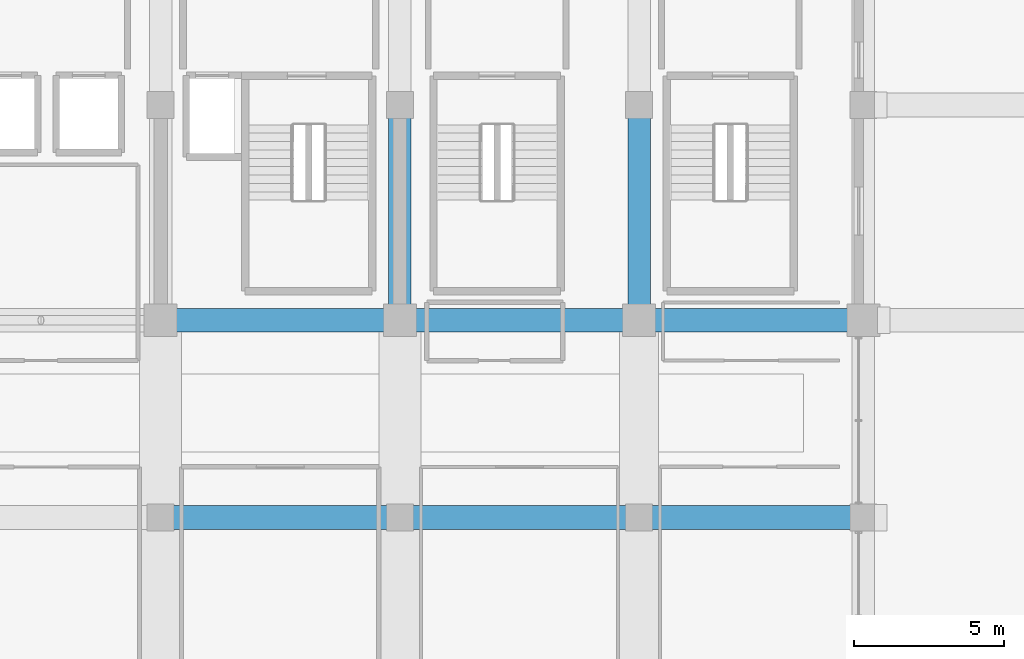
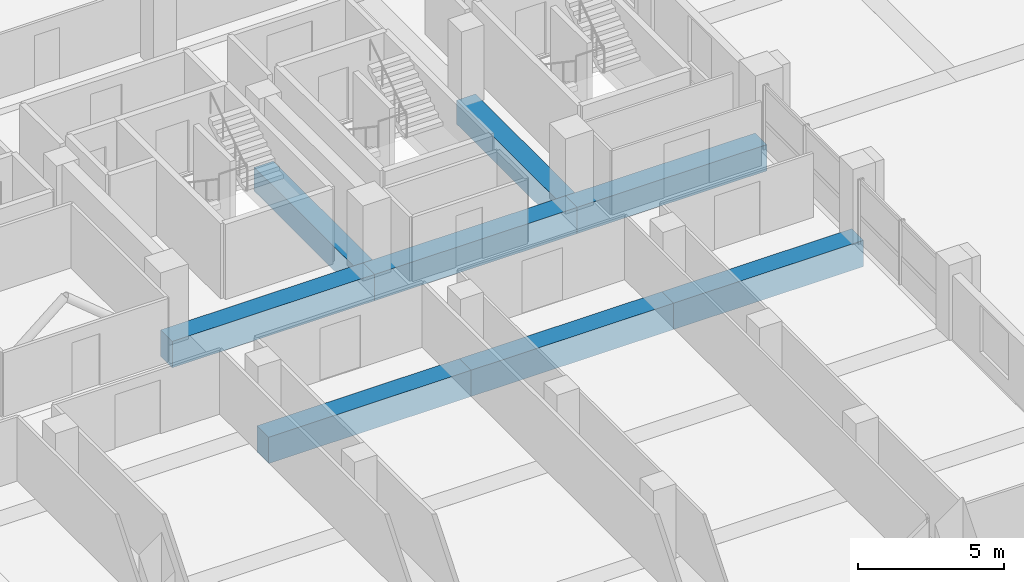
# One storey, part 17 of 49: 8 beams.
"""IFC4 building model written with IfcOpenShell, lengths in metres."""

from ifc_helpers import new_model, si_unit, direction, frame, origin, origin_2d, place, context, subcontext, project, spatial, rectangle, extrude, material, material_profile, profile_set, type_object, element, save


model = new_model("IFC4")

# Units and contexts
model_context = context("Model", 3, precision=1e-05, world=origin(), true_north=direction((0.0, 1.0)))
body_context = subcontext(model_context, "Body", "Model", "MODEL_VIEW")
ifc_project = project(units=[si_unit("LENGTHUNIT", "METRE"), si_unit("AREAUNIT", "SQUARE_METRE"), si_unit("VOLUMEUNIT", "CUBIC_METRE"), si_unit("PLANEANGLEUNIT", "RADIAN"), si_unit("MASSUNIT", "GRAM", prefix="KILO")], contexts=[model_context])

# Site, building, storey
site_placement = place(None, origin())
site = spatial("IfcSite", under=ifc_project, at=site_placement, CompositionType="ELEMENT")
building_placement = place(site_placement, origin())
building = spatial("IfcBuilding", under=site, at=building_placement, Name="Akrevak Sports Hall", CompositionType="ELEMENT")
storey_placement = place(building_placement, frame((0.0, 0.0, 24.14990234375)))
storey = spatial("IfcBuildingStorey", under=building, at=storey_placement, Name="L04", CompositionType="ELEMENT", Elevation=24.14990234375)

# Beams
ifc_material = material(Name="Concrete C50/60", Category="concrete")
ifc_material_profile_1 = material_profile(ifc_material, rectangle(XDim=0.75, YDim=1.0, at=origin_2d()), Name="BM 750x1000", Category="concrete")
ifc_profile_set_1 = profile_set([ifc_material_profile_1], Name="Concrete C50/60")
beam_type_1 = type_object("IfcBeamType", Name="STR-BM-RC750x1000", PredefinedType="BEAM", material=ifc_profile_set_1)
for number, where, z_axis, x_axis, name in (
    (1, (100.0, 55.199951171875, -0.5), (0.0, 1.0, 0.0), (-1.0, 0.0, 0.0), "Girder 14/I-J (L04)"),
    (2, (108.0, 55.199951171875, -0.5), (0.0, 1.0, 0.0), (-1.0, 0.0, 0.0), "Girder 15/I-J (L04)"),
):
    element("IfcBeam", number, at=place(storey_placement, frame(where, z_axis=z_axis, x_axis=x_axis)), inside=storey, type_object=beam_type_1, Name=name, PredefinedType="BEAM", context=body_context, shape_type="SweptSolid", body=[
        extrude(rectangle(XDim=0.75, YDim=1.0, at=origin_2d()), origin(), (0.0, 0.0, 1.0), 7.199951171875),
    ])
ifc_material_profile_2 = material_profile(ifc_material, rectangle(XDim=0.800048828125, YDim=1.10009765625, at=origin_2d()), Name="BM 800x1100", Category="concrete")
ifc_profile_set_2 = profile_set([ifc_material_profile_2], Name="Concrete C50/60")
beam_type_2 = type_object("IfcBeamType", Name="STR-BM-RC800x1100", PredefinedType="BEAM", material=ifc_profile_set_2)
for number, where, z_axis, x_axis, name in (
    (3, (92.0, 48.60009765625, -0.5498046875), (1.0, 0.0, 0.0), (0.0, 1.0, 0.0), "Girder H/13-14 (L04)"),
    (4, (100.0, 48.60009765625, -0.5498046875), (1.0, 0.0, 0.0), (0.0, 1.0, 0.0), "Girder H/14-15 (L04)"),
):
    element("IfcBeam", number, at=place(storey_placement, frame(where, z_axis=z_axis, x_axis=x_axis)), inside=storey, type_object=beam_type_2, Name=name, PredefinedType="BEAM", context=body_context, shape_type="SweptSolid", body=[
        extrude(rectangle(XDim=0.800048828125, YDim=1.10009765625, at=origin_2d()), origin(), (0.0, 0.0, 1.0), 8.0),
    ])
beam_1_placement = place(storey_placement, frame((108.0, 48.60009765625, -0.5498046875), z_axis=(1.0, 0.0, 0.0), x_axis=(0.0, 1.0, 0.0)))
element("IfcBeam", 5, at=beam_1_placement, inside=storey, type_object=beam_type_2, Name="Girder H/15-16 (L04)", PredefinedType="BEAM", context=body_context, shape_type="SweptSolid", body=[
    extrude(rectangle(XDim=0.800048828125, YDim=1.10009765625, at=origin_2d()), origin(), (0.0, 0.0, 1.0), 7.5),
])
for number, where, z_axis, x_axis, name in (
    (6, (92.0, 55.199951171875, -0.5498046875), (1.0, 0.0, 0.0), (0.0, 1.0, 0.0), "Girder I/13-14 (L04)"),
    (7, (100.0, 55.199951171875, -0.5498046875), (1.0, 0.0, 0.0), (0.0, 1.0, 0.0), "Girder I/14-15 (L04)"),
):
    element("IfcBeam", number, at=place(storey_placement, frame(where, z_axis=z_axis, x_axis=x_axis)), inside=storey, type_object=beam_type_2, Name=name, PredefinedType="BEAM", context=body_context, shape_type="SweptSolid", body=[
        extrude(rectangle(XDim=0.800048828125, YDim=1.10009765625, at=origin_2d()), origin(), (0.0, 0.0, 1.0), 8.0),
    ])
beam_2_placement = place(storey_placement, frame((108.0, 55.199951171875, -0.5498046875), z_axis=(1.0, 0.0, 0.0), x_axis=(0.0, 1.0, 0.0)))
element("IfcBeam", 8, at=beam_2_placement, inside=storey, type_object=beam_type_2, Name="Girder I/15-16 (L04)", PredefinedType="BEAM", context=body_context, shape_type="SweptSolid", body=[
    extrude(rectangle(XDim=0.800048828125, YDim=1.10009765625, at=origin_2d()), origin(), (0.0, 0.0, 1.0), 7.5),
])

save(model, "model.ifc")
